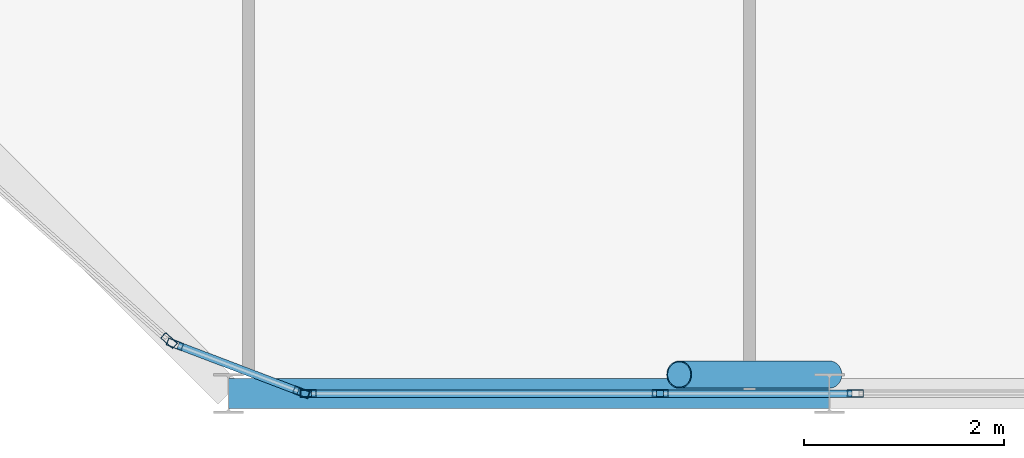
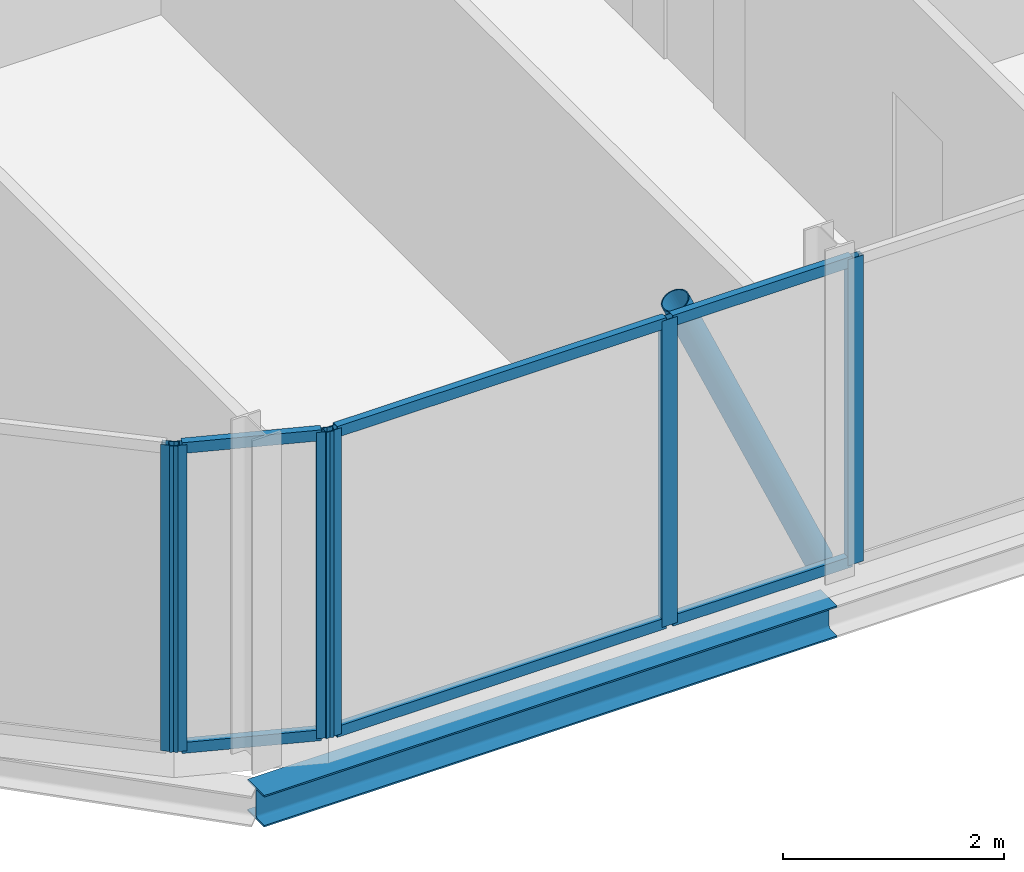
# One storey, part 6 of 27: 13 members, 1 beam, 5 elements without a shape of their own.
"""IFC4 building model written with IfcOpenShell, lengths in metres."""

from ifc_helpers import new_model, si_unit, direction, frame, origin, origin_2d, place, context, subcontext, project, spatial, hollow_rectangle, hollow_circle, i_section, extrude, material, layer, layer_set, material_profile, profile_set, type_object, element, aggregate, save


model = new_model("IFC4")

# Units and contexts
model_context = context("Model", 3, precision=1e-05, world=origin(), true_north=direction((0.0, 1.0)))
body_context = subcontext(model_context, "Body", "Model", "MODEL_VIEW")
ifc_project = project(units=[si_unit("LENGTHUNIT", "METRE"), si_unit("AREAUNIT", "SQUARE_METRE"), si_unit("VOLUMEUNIT", "CUBIC_METRE"), si_unit("PLANEANGLEUNIT", "RADIAN"), si_unit("MASSUNIT", "GRAM", prefix="KILO")], contexts=[model_context])

# Site, building, storey
site_placement = place(None, origin())
site = spatial("IfcSite", under=ifc_project, at=site_placement, CompositionType="ELEMENT")
building_placement = place(site_placement, origin())
building = spatial("IfcBuilding", under=site, at=building_placement, Name="Keshet Zoharim Tower", CompositionType="ELEMENT")
storey_placement = place(building_placement, frame((0.0, 0.0, 262.10009765625)))
storey = spatial("IfcBuildingStorey", under=building, at=storey_placement, Name="L65", CompositionType="ELEMENT", Elevation=262.10009765625)

# Beam
ifc_material_1 = material(Name="Steel S355", Category="steel")
ifc_material_profile_1 = material_profile(ifc_material_1, i_section(OverallWidth=0.300048828125, OverallDepth=0.35009765625, WebThickness=0.010009765625, FlangeThickness=0.017578125, FilletRadius=0.027099609375, at=origin_2d()), Name="HEA360")
ifc_profile_set_1 = profile_set([ifc_material_profile_1], Name="Steel S355")
beam_type = type_object("IfcBeamType", Name="BM-PRI-HA360", PredefinedType="BEAM", material=ifc_profile_set_1)
beam_placement = place(storey_placement, frame((21.0, 6.699951171875, -0.485107421875), z_axis=(1.0, 0.0, 0.0), x_axis=(0.0, 1.0, 0.0)))
element("IfcBeam", 1, at=beam_placement, inside=storey, type_object=beam_type, Name="L65 Primary Girder X-001", PredefinedType="BEAM", context=body_context, shape_type="SweptSolid", body=[
    extrude(i_section(OverallWidth=0.300048828125, OverallDepth=0.35009765625, WebThickness=0.010009765625, FlangeThickness=0.017578125, FilletRadius=0.027099609375, at=origin_2d()), origin(), (0.0, 0.0, 1.0), 6.0),
])

# Curtain wall, member
ifc_material_2 = material(Name="Aluminium 6063-T6", Category="aluminium")
ifc_layer = layer(ifc_material_2, 0.260009765625)
ifc_layer_set = layer_set([ifc_layer], Name="Aluminium 6063-T6")
curtain_wall_type = type_object("IfcCurtainWallType", Name="CW-SYS-06", PredefinedType="NOTDEFINED", material=ifc_layer_set)
curtain_wall_1_placement = place(storey_placement, origin())
curtain_wall_1 = element("IfcCurtainWall", 2, at=curtain_wall_1_placement, inside=storey, type_object=curtain_wall_type, Name="L65 Unitised Curtain Wall 14", PredefinedType="NOTDEFINED")
ifc_material_profile_2 = material_profile(ifc_material_2, hollow_rectangle(XDim=0.074951171875, YDim=0.159912109375, WallThickness=0.00390625, at=origin_2d()), Name="MUL-75x160")
ifc_profile_set_2 = profile_set([ifc_material_profile_2], Name="Aluminium 6063-T6")
member_type_1 = type_object("IfcMemberType", Name="CWM-M15", PredefinedType="MULLION", material=ifc_profile_set_2)
member_1_placement = place(storey_placement, frame((27.259765625, 6.699951171875, 0.0), z_axis=(0.0, 0.0, 1.0), x_axis=(0.0, -1.0, 0.0)))
member_1 = element("IfcMember", 3, at=member_1_placement, type_object=member_type_1, Name="CW-06 mullion 2", PredefinedType="MULLION", context=body_context, shape_type="SweptSolid", body=[
    extrude(hollow_rectangle(XDim=0.074951171875, YDim=0.159912109375, WallThickness=0.00390625, at=origin_2d()), origin(), (0.0, 0.0, 1.0), 3.389892578125),
])
aggregate(curtain_wall_1, [member_1])

curtain_wall_2_placement = place(storey_placement, origin())
curtain_wall_2 = element("IfcCurtainWall", 4, at=curtain_wall_2_placement, inside=storey, type_object=curtain_wall_type, Name="L65 Unitised Curtain Wall 14 Part 2", PredefinedType="NOTDEFINED")
member_2_placement = place(storey_placement, frame((25.310302734375, 6.699951171875, 0.0), z_axis=(0.0, 0.0, 1.0), x_axis=(0.0, -1.0, 0.0)))
member_2 = element("IfcMember", 5, at=member_2_placement, type_object=member_type_1, Name="CW-06 mullion 2", PredefinedType="MULLION", context=body_context, shape_type="SweptSolid", body=[
    extrude(hollow_rectangle(XDim=0.074951171875, YDim=0.159912109375, WallThickness=0.00390625, at=origin_2d()), origin(), (0.0, 0.0, 1.0), 3.389892578125),
])

curtain_wall_3_placement = place(storey_placement, origin())
curtain_wall_3 = element("IfcCurtainWall", 6, at=curtain_wall_3_placement, inside=storey, type_object=curtain_wall_type, Name="L65 Unitised Curtain Wall 14 Part 3", PredefinedType="NOTDEFINED")
member_3_placement = place(storey_placement, frame((21.794921875, 6.699951171875, 0.0), z_axis=(0.0, 0.0, 1.0), x_axis=(0.0, -1.0, 0.0)))
member_3 = element("IfcMember", 7, at=member_3_placement, type_object=member_type_1, Name="CW-06 mullion 2", PredefinedType="MULLION", context=body_context, shape_type="SweptSolid", body=[
    extrude(hollow_rectangle(XDim=0.074951171875, YDim=0.159912109375, WallThickness=0.00390625, at=origin_2d()), origin(), (0.0, 0.0, 1.0), 3.389892578125),
])

# Curtain wall, members
curtain_wall_4_placement = place(storey_placement, origin())
curtain_wall_4 = element("IfcCurtainWall", 8, at=curtain_wall_4_placement, inside=storey, type_object=curtain_wall_type, Name="L65 Unitised Curtain Wall 15", PredefinedType="NOTDEFINED")
member_4_placement = place(storey_placement, frame((21.727294921875, 6.71240234375, 0.0), z_axis=(0.0, 0.0, 1.0), x_axis=(-0.355439161326, -0.934699418314, 0.0)))
member_4 = element("IfcMember", 9, at=member_4_placement, type_object=member_type_1, Name="CW-06 mullion 1", PredefinedType="MULLION", context=body_context, shape_type="SweptSolid", body=[
    extrude(hollow_rectangle(XDim=0.074951171875, YDim=0.159912109375, WallThickness=0.00390625, at=origin_2d()), origin(), (0.0, 0.0, 1.0), 3.389892578125),
])
member_5_placement = place(storey_placement, frame((20.464599609375, 7.192626953125, 0.0), z_axis=(0.0, 0.0, 1.0), x_axis=(-0.355439161326, -0.934699418314, 0.0)))
member_5 = element("IfcMember", 10, at=member_5_placement, type_object=member_type_1, Name="CW-06 mullion 2", PredefinedType="MULLION", context=body_context, shape_type="SweptSolid", body=[
    extrude(hollow_rectangle(XDim=0.074951171875, YDim=0.159912109375, WallThickness=0.00390625, at=origin_2d()), origin(), (0.0, 0.0, 1.0), 3.389892578125),
])

# Curtain wall, member
curtain_wall_5_placement = place(storey_placement, origin())
curtain_wall_5 = element("IfcCurtainWall", 11, at=curtain_wall_5_placement, inside=storey, type_object=curtain_wall_type, Name="L65 Unitised Curtain Wall 16", PredefinedType="NOTDEFINED")
member_6_placement = place(storey_placement, frame((20.40576171875, 7.228271484375, 0.0), z_axis=(0.0, 0.0, 1.0), x_axis=(-0.664362180559, -0.747410792699, 0.0)))
member_6 = element("IfcMember", 12, at=member_6_placement, type_object=member_type_1, Name="CW-06 mullion 1", PredefinedType="MULLION", context=body_context, shape_type="SweptSolid", body=[
    extrude(hollow_rectangle(XDim=0.074951171875, YDim=0.159912109375, WallThickness=0.00390625, at=origin_2d()), origin(), (0.0, 0.0, 1.0), 3.389892578125),
])
aggregate(curtain_wall_5, [member_6])

# Member
ifc_material_profile_3 = material_profile(ifc_material_2, hollow_rectangle(XDim=0.074951171875, YDim=0.1201171875, WallThickness=0.00390625, at=origin_2d()), Name="TRN-75x120")
ifc_profile_set_3 = profile_set([ifc_material_profile_3], Name="Aluminium 6063-T6")
member_type_2 = type_object("IfcMemberType", Name="CWT-T12", PredefinedType="USERDEFINED", material=ifc_profile_set_3)
member_7_placement = place(storey_placement, frame((27.224853515625, 6.699951171875, 0.034912109375), z_axis=(-1.0, 0.0, 0.0), x_axis=(0.0, -1.0, 0.0)))
member_7 = element("IfcMember", 13, at=member_7_placement, type_object=member_type_2, Name="CW-06 transom 1.1", ObjectType="TRANSOM", PredefinedType="USERDEFINED", context=body_context, shape_type="SweptSolid", body=[
    extrude(hollow_rectangle(XDim=0.074951171875, YDim=0.1201171875, WallThickness=0.00390625, at=origin_2d()), origin(), (0.0, 0.0, 1.0), 1.879638671875),
])

member_8_placement = place(storey_placement, frame((27.224853515625, 6.699951171875, 3.35498046875), z_axis=(-1.0, 0.0, 0.0), x_axis=(0.0, -1.0, 0.0)))
member_8 = element("IfcMember", 14, at=member_8_placement, type_object=member_type_2, Name="CW-06 transom 1.2", ObjectType="TRANSOM", PredefinedType="USERDEFINED", context=body_context, shape_type="SweptSolid", body=[
    extrude(hollow_rectangle(XDim=0.074951171875, YDim=0.1201171875, WallThickness=0.00390625, at=origin_2d()), origin(), (0.0, 0.0, 1.0), 1.879638671875),
])

aggregate(curtain_wall_2, [member_2, member_7, member_8])

member_9_placement = place(storey_placement, frame((25.275146484375, 6.699951171875, 0.034912109375), z_axis=(-1.0, 0.0, 0.0), x_axis=(0.0, -1.0, 0.0)))
member_9 = element("IfcMember", 15, at=member_9_placement, type_object=member_type_2, Name="CW-06 transom 1.1", ObjectType="TRANSOM", PredefinedType="USERDEFINED", context=body_context, shape_type="SweptSolid", body=[
    extrude(hollow_rectangle(XDim=0.074951171875, YDim=0.1201171875, WallThickness=0.00390625, at=origin_2d()), origin(), (0.0, 0.0, 1.0), 3.445068359375),
])

member_10_placement = place(storey_placement, frame((25.275146484375, 6.699951171875, 3.35498046875), z_axis=(-1.0, 0.0, 0.0), x_axis=(0.0, -1.0, 0.0)))
member_10 = element("IfcMember", 16, at=member_10_placement, type_object=member_type_2, Name="CW-06 transom 1.2", ObjectType="TRANSOM", PredefinedType="USERDEFINED", context=body_context, shape_type="SweptSolid", body=[
    extrude(hollow_rectangle(XDim=0.074951171875, YDim=0.1201171875, WallThickness=0.00390625, at=origin_2d()), origin(), (0.0, 0.0, 1.0), 3.445068359375),
])

aggregate(curtain_wall_3, [member_3, member_9, member_10])

member_11_placement = place(storey_placement, frame((21.694580078125, 6.724853515625, 0.034912109375), z_axis=(-0.934689881536, 0.355464239206, 0.0), x_axis=(-0.355464239206, -0.934689881536, 0.0)))
member_11 = element("IfcMember", 17, at=member_11_placement, type_object=member_type_2, Name="CW-06 transom 1.1", ObjectType="TRANSOM", PredefinedType="USERDEFINED", context=body_context, shape_type="SweptSolid", body=[
    extrude(hollow_rectangle(XDim=0.074951171875, YDim=0.1201171875, WallThickness=0.00390625, at=origin_2d()), origin(), (0.0, 0.0, 1.0), 1.281005859375),
])

member_12_placement = place(storey_placement, frame((21.694580078125, 6.724853515625, 3.35498046875), z_axis=(-0.934689881536, 0.355464239206, 0.0), x_axis=(-0.355464239206, -0.934689881536, 0.0)))
member_12 = element("IfcMember", 18, at=member_12_placement, type_object=member_type_2, Name="CW-06 transom 1.2", ObjectType="TRANSOM", PredefinedType="USERDEFINED", context=body_context, shape_type="SweptSolid", body=[
    extrude(hollow_rectangle(XDim=0.074951171875, YDim=0.1201171875, WallThickness=0.00390625, at=origin_2d()), origin(), (0.0, 0.0, 1.0), 1.281005859375),
])

aggregate(curtain_wall_4, [member_4, member_5, member_11, member_12])

ifc_material_profile_4 = material_profile(ifc_material_1, hollow_circle(Radius=0.136474609375, WallThickness=0.010009765625, at=origin_2d()), Name="CHS273x10")
ifc_profile_set_4 = profile_set([ifc_material_profile_4], Name="Steel S355")
member_type_3 = type_object("IfcMemberType", Name="MB-BR-C273", PredefinedType="BRACE", material=ifc_profile_set_4)
member_13_placement = place(storey_placement, frame((27.0, 6.889892578125, 0.0), z_axis=(-0.40464689807, 0.0, 0.914473011019), x_axis=(0.0, -1.0, 0.0)))
element("IfcMember", 19, at=member_13_placement, inside=storey, type_object=member_type_3, Name="L65 Perimeter Tube Brace 02", PredefinedType="BRACE", context=body_context, shape_type="SweptSolid", body=[
    extrude(hollow_circle(Radius=0.136474609375, WallThickness=0.010009765625, at=origin_2d()), origin(), (0.0, 0.0, 1.0), 3.70703125),
])

save(model, "model.ifc")
